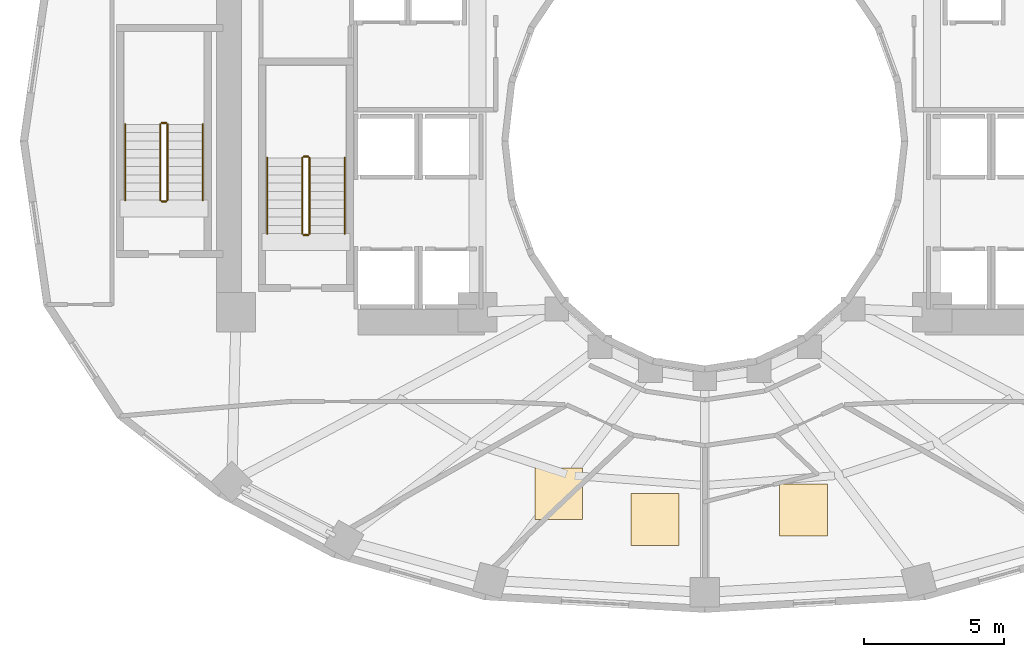
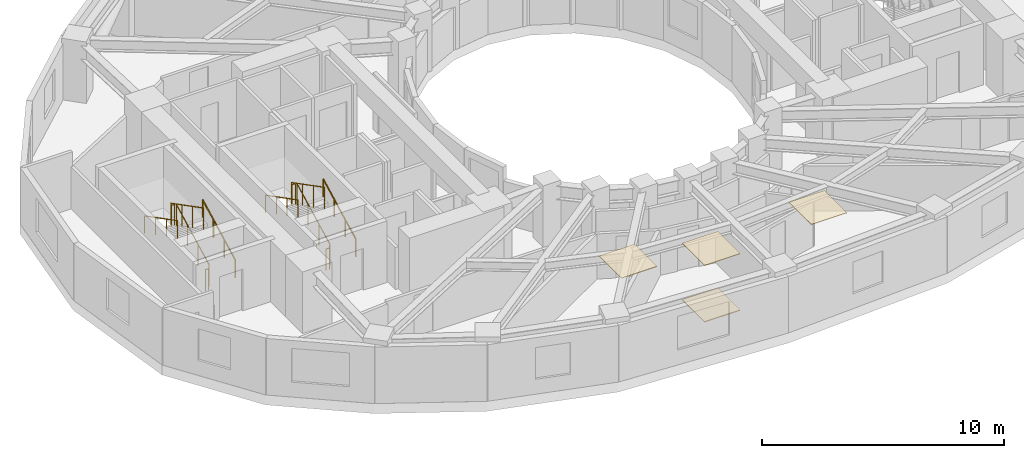
# One storey, part 8 of 9: 12 railings, 4 coverings.
"""IFC4 building model written with IfcOpenShell, lengths in metres."""

import ifcopenshell
import ifcopenshell.guid

model = None  # the IFC model being written
_history = None  # IfcOwnerHistory: only IFC2X3 demands one
_inside = {}  # id of a spatial element -> (the spatial element, [elements in it])
_under = {}  # id of a project, library or spatial element -> (it, [spatial elements below it])
_declared = {}  # id of a project -> (the project, [libraries it declares])
_typed = {}  # id of a type object -> (the type object, [elements of that type])
_made_of = {}  # id of a material, layer set ... -> (it, [elements and type objects made of it])


def new_model(schema):
    """Start an empty IFC model of exactly this schema.

    Asked for "IFC4X3", IfcOpenShell would pick the latest addendum, in which some entities
    have other attributes; the version numbers below select the first issue.
    IFC2X3 requires an IfcOwnerHistory on every rooted entity: one is made here for all.
    """
    global model, _history
    if schema == "IFC4X3":
        model = ifcopenshell.file(schema_version=(4, 3, 0, 0))
    else:
        model = ifcopenshell.file(schema=schema)
    _inside.clear()
    _under.clear()
    _declared.clear()
    _typed.clear()
    _made_of.clear()
    _history = None
    if model.schema == "IFC2X3":
        org = make("IfcOrganization", Name="unknown")
        user = make(
            "IfcPersonAndOrganization",
            ThePerson=make("IfcPerson", FamilyName="unknown"),
            TheOrganization=org,
        )
        app = make(
            "IfcApplication",
            ApplicationDeveloper=org,
            Version="unknown",
            ApplicationFullName="unknown",
            ApplicationIdentifier="unknown",
        )
        _history = make(
            "IfcOwnerHistory",
            OwningUser=user,
            OwningApplication=app,
            ChangeAction="ADDED",
            CreationDate=0,
        )
    return model


def make(cls, **values):
    """One entity of the class cls with the attributes given. An attribute that is None is left unset."""
    return model.create_entity(
        cls, **{name: value for name, value in values.items() if value is not None}
    )


def rooted(cls, **values):
    """An entity with a GlobalId (a new one), such as an element, a storey or a relation."""
    return make(cls, GlobalId=ifcopenshell.guid.new(), OwnerHistory=_history, **values)


def si_unit(unit_type, name, prefix=None):
    """IfcSIUnit, for example si_unit("LENGTHUNIT", "METRE", prefix="MILLI")."""
    return make("IfcSIUnit", UnitType=unit_type, Prefix=prefix, Name=name)


def assignment(units):
    """IfcUnitAssignment: the units of a project."""
    return None if units is None else make("IfcUnitAssignment", Units=units)


def point(xyz):
    """IfcCartesianPoint."""
    return None if xyz is None else make("IfcCartesianPoint", Coordinates=xyz)


def direction(xyz):
    """IfcDirection."""
    return None if xyz is None else make("IfcDirection", DirectionRatios=xyz)


def frame(location, z_axis=None, x_axis=None):
    """IfcAxis2Placement3D, a coordinate frame: its origin and axes. An axis left out is left unset."""
    return make(
        "IfcAxis2Placement3D",
        Location=point(location),
        Axis=direction(z_axis),
        RefDirection=direction(x_axis),
    )


def frame_2d(location, x_axis=None):
    """IfcAxis2Placement2D, a coordinate frame in the plane: its origin and x axis."""
    return make(
        "IfcAxis2Placement2D", Location=point(location), RefDirection=direction(x_axis)
    )


def origin():
    """The frame at (0, 0, 0) with its axes left unset."""
    return frame((0.0, 0.0, 0.0))


def origin_2d():
    """The frame at (0, 0) in the plane with its x axis left unset."""
    return frame_2d((0.0, 0.0))


def place(relative_to, where):
    """IfcLocalPlacement: puts the frame where relative to a parent placement (None: the world)."""
    return make(
        "IfcLocalPlacement", PlacementRelTo=relative_to, RelativePlacement=where
    )


def context(
    kind, dimensions, precision=None, world=None, true_north=None, identifier=None
):
    """IfcGeometricRepresentationContext, for example the 3D "Model" context."""
    return make(
        "IfcGeometricRepresentationContext",
        ContextIdentifier=identifier,
        ContextType=kind,
        CoordinateSpaceDimension=dimensions,
        Precision=precision,
        WorldCoordinateSystem=world,
        TrueNorth=true_north,
    )


def subcontext(parent, identifier, kind, view, scale=None):
    """IfcGeometricRepresentationSubContext, for example "Body" below "Model"."""
    return make(
        "IfcGeometricRepresentationSubContext",
        ContextIdentifier=identifier,
        ContextType=kind,
        ParentContext=parent,
        TargetScale=scale,
        TargetView=view,
    )


def project(units=None, contexts=None):
    """IfcProject with its units and contexts."""
    return rooted(
        "IfcProject",
        Name="project",
        RepresentationContexts=contexts,
        UnitsInContext=assignment(units),
    )


def spatial(cls, under=None, at=None, **own):
    """A site, building, storey or space (cls), placed at a placement, below another one or the project."""
    s = rooted(cls, ObjectPlacement=at, **own)
    if under is not None:
        _under.setdefault(under.id(), (under, []))[1].append(s)
    return s


def polyline(points):
    """IfcPolyline through the points."""
    return make("IfcPolyline", Points=[point(p) for p in points])


def profile(cls, at=None, kind="AREA", **sizes):
    """A parametric profile (cls). Its sizes go by their IFC names, for example OverallWidth=200.0."""
    return make(cls, ProfileType=kind, Position=at, **sizes)


def circle(**sizes):
    """IfcCircleProfileDef."""
    return profile("IfcCircleProfileDef", **sizes)


def outline(outer, holes=None, kind="AREA"):
    """IfcArbitraryClosedProfileDef: a profile drawn as a closed curve; with holes, ...WithVoids."""
    if holes is None:
        return make("IfcArbitraryClosedProfileDef", ProfileType=kind, OuterCurve=outer)
    return make(
        "IfcArbitraryProfileDefWithVoids",
        ProfileType=kind,
        OuterCurve=outer,
        InnerCurves=holes,
    )


def extrude(swept, where, along, depth):
    """IfcExtrudedAreaSolid: the profile swept, set in the frame where, extruded along a direction by depth."""
    return make(
        "IfcExtrudedAreaSolid",
        SweptArea=swept,
        Position=where,
        ExtrudedDirection=direction(along),
        Depth=depth,
    )


def shape(context_of_items, identifier, shape_type, items):
    """IfcShapeRepresentation: the items that make up one representation, for example the "Body"."""
    return make(
        "IfcShapeRepresentation",
        ContextOfItems=context_of_items,
        RepresentationIdentifier=identifier,
        RepresentationType=shape_type,
        Items=items,
    )


def material(Name=None, Category=None):
    """IfcMaterial."""
    return make("IfcMaterial", Name=Name, Category=Category)


def layer(
    of_material, thickness, ventilated=None, Name=None, Category=None, Priority=None
):
    """IfcMaterialLayer: one layer of a wall or slab, of a material (None: an air gap)."""
    return make(
        "IfcMaterialLayer",
        Material=of_material,
        LayerThickness=thickness,
        IsVentilated=ventilated,
        Name=Name,
        Category=Category,
        Priority=Priority,
    )


def layer_set(layers, Name=None):
    """IfcMaterialLayerSet."""
    return make("IfcMaterialLayerSet", MaterialLayers=layers, LayerSetName=Name)


def made_of(thing, what):
    """Note that an element or type object is made of a material, layer set ...; save() writes the relation."""
    if what is not None:
        _made_of.setdefault(what.id(), (what, []))[1].append(thing)
    return thing


def type_object(cls, material=None, **own):
    """A type object (cls), such as IfcWallType, which elements share."""
    return made_of(rooted(cls, **own), material)


def element(
    cls,
    number,
    at=None,
    inside=None,
    cuts=None,
    type_object=None,
    material=None,
    context=None,
    identifier="Body",
    shape_type=None,
    held_by="IfcProductDefinitionShape",
    body=None,
    shapes=None,
    **own,
):
    """One element of the class cls, such as IfcWall. Its Tag is "e" and its number.

    at: its placement. inside: the storey or other place that contains it. cuts: it is an
    opening in that element (IfcRelVoidsElement). A single representation is given by context,
    identifier, shape_type and body (its items); several are given by shapes. held_by: the class
    of the entity that holds the representations. save() writes the other relations.
    """
    e = rooted(cls, Tag="e%d" % number, ObjectPlacement=at, **own)
    if body is not None:
        shapes = [shape(context, identifier, shape_type, body)]
    if shapes is not None:
        e.Representation = make(held_by, Representations=shapes)
    if inside is not None:
        _inside.setdefault(inside.id(), (inside, []))[1].append(e)
    if cuts is not None:
        rooted(
            "IfcRelVoidsElement", RelatingBuildingElement=cuts, RelatedOpeningElement=e
        )
    if type_object is not None:
        _typed.setdefault(type_object.id(), (type_object, []))[1].append(e)
    return made_of(e, material)


def aggregate(whole, parts):
    """IfcRelAggregates: a whole, such as a stair, and the parts it consists of."""
    return rooted("IfcRelAggregates", RelatingObject=whole, RelatedObjects=parts)


def save(model, path):
    """Write the relations noted so far, then the file.

    IfcRelAggregates (storeys below a building ...), IfcRelContainedInSpatialStructure (elements
    in a storey), IfcRelDefinesByType, IfcRelAssociatesMaterial and IfcRelDeclares: one each for
    every whole, place, type object, material and project.
    """
    for whole, parts in _under.values():
        aggregate(whole, parts)
    for where, things in _inside.values():
        rooted(
            "IfcRelContainedInSpatialStructure",
            RelatedElements=things,
            RelatingStructure=where,
        )
    for kind, things in _typed.values():
        rooted("IfcRelDefinesByType", RelatedObjects=things, RelatingType=kind)
    for what, things in _made_of.values():
        rooted("IfcRelAssociatesMaterial", RelatedObjects=things, RelatingMaterial=what)
    for by, libraries in _declared.values():
        rooted("IfcRelDeclares", RelatingContext=by, RelatedDefinitions=libraries)
    model.write(path)


model = new_model("IFC4")

# Units and contexts
model_context = context("Model", 3, precision=1e-05, world=origin(), true_north=direction((0.0, 1.0)))
body_context = subcontext(model_context, "Body", "Model", "MODEL_VIEW")
ifc_project = project(units=[si_unit("LENGTHUNIT", "METRE"), si_unit("AREAUNIT", "SQUARE_METRE"), si_unit("VOLUMEUNIT", "CUBIC_METRE"), si_unit("PLANEANGLEUNIT", "RADIAN"), si_unit("MASSUNIT", "GRAM", prefix="KILO")], contexts=[model_context])

# Site, building, storey
site_placement = place(None, origin())
site = spatial("IfcSite", under=ifc_project, at=site_placement, CompositionType="ELEMENT")
building_placement = place(site_placement, origin())
building = spatial("IfcBuilding", under=site, at=building_placement, Name="Solvane Sanctuary Tower", CompositionType="ELEMENT")
storey_placement = place(building_placement, frame((0.0, 0.0, 76.300048828125)))
storey = spatial("IfcBuildingStorey", under=building, at=storey_placement, Name="L22", CompositionType="ELEMENT", Elevation=76.300048828125)

# Coverings
ifc_material_1 = material(Name="Acoustic Gypsum Partition Board")
ifc_layer_1 = layer(ifc_material_1, 0.02490234375, Name="Acoustic Gypsum Partition Board")
ifc_layer_set_1 = layer_set([ifc_layer_1], Name="Acoustic Gypsum Partition Board")
covering_type_1 = type_object("IfcCoveringType", Name="Covering CLG-ACOUST", PredefinedType="CEILING", material=ifc_layer_set_1)
covering_1_placement = place(storey_placement, frame((0.0, 0.0, 2.849853515625)))
element("IfcCovering", 1, at=covering_1_placement, inside=storey, type_object=covering_type_1, Name="L22 Unit Acoustic Ceiling Panel 2", PredefinedType="CEILING", context=body_context, shape_type="SweptSolid", body=[
    extrude(outline(polyline([(25.946044921875, 9.510009765625), (27.64599609375, 9.510009765625), (27.64599609375, 11.360107421875), (25.946044921875, 11.360107421875), (25.946044921875, 9.510009765625)])), origin(), (0.0, 0.0, 1.0), 0.030029296875),
])
covering_2_placement = place(storey_placement, frame((0.0, 0.0, 2.849853515625)))
element("IfcCovering", 2, at=covering_2_placement, inside=storey, type_object=covering_type_1, Name="L22 Unit Acoustic Ceiling Panel 3", PredefinedType="CEILING", context=body_context, shape_type="SweptSolid", body=[
    extrude(outline(polyline([(29.375, 8.591064453125), (31.074951171875, 8.591064453125), (31.074951171875, 10.44091796875), (29.375, 10.44091796875), (29.375, 8.591064453125)])), origin(), (0.0, 0.0, 1.0), 0.030029296875),
])
covering_3_placement = place(storey_placement, frame((0.0, 0.0, 2.849853515625)))
element("IfcCovering", 3, at=covering_3_placement, inside=storey, type_object=covering_type_1, Name="L22 Unit Acoustic Ceiling Panel 4", PredefinedType="CEILING", context=body_context, shape_type="SweptSolid", body=[
    extrude(outline(polyline([(34.669921875, 8.93798828125), (36.3701171875, 8.93798828125), (36.3701171875, 10.7880859375), (34.669921875, 10.7880859375), (34.669921875, 8.93798828125)])), origin(), (0.0, 0.0, 1.0), 0.030029296875),
])
ifc_material_2 = material(Name="Ceramic Tile Finish")
ifc_layer_2 = layer(ifc_material_2, 0.030029296875, Name="Ceramic Tile Finish")
ifc_layer_set_2 = layer_set([ifc_layer_2], Name="Ceramic Tile Finish")
covering_type_2 = type_object("IfcCoveringType", Name="Covering FLR-TERRAZZO", PredefinedType="FLOORING", material=ifc_layer_set_2)
covering_4_placement = place(storey_placement, origin())
element("IfcCovering", 4, at=covering_4_placement, inside=storey, type_object=covering_type_2, Name="L22 Unit Terrazzo Inlay 3", PredefinedType="FLOORING", context=body_context, shape_type="SweptSolid", body=[
    extrude(outline(polyline([(29.375, 8.591064453125), (31.074951171875, 8.591064453125), (31.074951171875, 10.44091796875), (29.375, 10.44091796875), (29.375, 8.591064453125)])), origin(), (0.0, 0.0, 1.0), 0.034912109375),
])

# Railings
ifc_material_3 = material(Name="Architectural Stainless Steel 316", Category="steel")
railing_type_1 = type_object("IfcRailingType", Name="Railing GR-BALC-1150", PredefinedType="BALUSTRADE", material=ifc_material_3)
railing_1_placement = place(storey_placement, frame((17.919921875, 19.699951171875, 0.155029296875)))
element("IfcRailing", 5, at=railing_1_placement, inside=storey, type_object=railing_type_1, Name="L22 ST-1 stair guard 1", PredefinedType="BALUSTRADE", context=body_context, shape_type="SweptSolid", body=[
    extrude(circle(Radius=0.02392578125, at=origin_2d()), frame((0.0, 0.0, 1.076171875), z_axis=(0.0, 0.888419900624, 0.459031676658), x_axis=(-1.0, 0.0, 0.0)), (0.0, 0.0, 1.0), 3.0390625),
    extrude(circle(Radius=0.02099609375, at=origin_2d()), origin(), (0.0, 0.0, 1.0), 1.052001953125),
    extrude(circle(Radius=0.02099609375, at=origin_2d()), frame((0.0, 0.89990234375, 0.465087890625)), (0.0, 0.0, 1.0), 1.052001953125),
    extrude(circle(Radius=0.02099609375, at=origin_2d()), frame((0.0, 1.800048828125, 0.929931640625)), (0.0, 0.0, 1.0), 1.052001953125),
    extrude(circle(Radius=0.02099609375, at=origin_2d()), frame((0.0, 2.699951171875, 1.39501953125)), (0.0, 0.0, 1.0), 1.052001953125),
])
railing_2_placement = place(storey_placement, frame((17.8701171875, 22.449951171875, 1.550048828125)))
element("IfcRailing", 6, at=railing_2_placement, inside=storey, type_object=railing_type_1, Name="L22 ST-1 stair guard 2", PredefinedType="BALUSTRADE", context=body_context, shape_type="SweptSolid", body=[
    extrude(circle(Radius=0.02392578125, at=origin_2d()), frame((0.0, 0.0, 1.076171875), z_axis=(-1.0, 0.0, 0.0), x_axis=(0.0, -1.0, 0.0)), (0.0, 0.0, 1.0), 0.16015625),
    extrude(circle(Radius=0.02099609375, at=origin_2d()), origin(), (0.0, 0.0, 1.0), 1.052001953125),
    extrude(circle(Radius=0.02099609375, at=origin_2d()), frame((-0.16015625, 0.0, 0.0)), (0.0, 0.0, 1.0), 1.052001953125),
])
railing_3_placement = place(storey_placement, frame((17.659912109375, 22.39990234375, 1.704833984375)))
element("IfcRailing", 7, at=railing_3_placement, inside=storey, type_object=railing_type_1, Name="L22 ST-1 stair guard 3", PredefinedType="BALUSTRADE", context=body_context, shape_type="SweptSolid", body=[
    extrude(circle(Radius=0.02392578125, at=origin_2d()), frame((0.0, 0.0, 1.076171875), z_axis=(0.0, -0.888419900624, 0.459031676658), x_axis=(1.0, 0.0, 0.0)), (0.0, 0.0, 1.0), 3.0390625),
    extrude(circle(Radius=0.02099609375, at=origin_2d()), origin(), (0.0, 0.0, 1.0), 1.052001953125),
    extrude(circle(Radius=0.02099609375, at=origin_2d()), frame((0.0, -0.89990234375, 0.465087890625)), (0.0, 0.0, 1.0), 1.052001953125),
    extrude(circle(Radius=0.02099609375, at=origin_2d()), frame((0.0, -1.800048828125, 0.929931640625)), (0.0, 0.0, 1.0), 1.052001953125),
    extrude(circle(Radius=0.02099609375, at=origin_2d()), frame((0.0, -2.699951171875, 1.39501953125)), (0.0, 0.0, 1.0), 1.052001953125),
])
railing_4_placement = place(storey_placement, frame((17.8701171875, 19.64990234375, 0.0)))
element("IfcRailing", 8, at=railing_4_placement, inside=storey, type_object=railing_type_1, Name="L22 ST-1 stair guard 4", PredefinedType="BALUSTRADE", context=body_context, shape_type="SweptSolid", body=[
    extrude(circle(Radius=0.02392578125, at=origin_2d()), frame((0.0, 0.0, 1.076171875), z_axis=(-1.0, 0.0, 0.0), x_axis=(0.0, -1.0, 0.0)), (0.0, 0.0, 1.0), 0.16015625),
    extrude(circle(Radius=0.02099609375, at=origin_2d()), origin(), (0.0, 0.0, 1.0), 1.052001953125),
    extrude(circle(Radius=0.02099609375, at=origin_2d()), frame((-0.16015625, 0.0, 0.0)), (0.0, 0.0, 1.0), 1.052001953125),
])
railing_5_placement = place(storey_placement, frame((12.860107421875, 20.89990234375, 0.155029296875)))
element("IfcRailing", 9, at=railing_5_placement, inside=storey, type_object=railing_type_1, Name="L22 ST-3 stair guard 1", PredefinedType="BALUSTRADE", context=body_context, shape_type="SweptSolid", body=[
    extrude(circle(Radius=0.02392578125, at=origin_2d()), frame((0.0, 0.0, 1.076171875), z_axis=(0.0, 0.888436826113, 0.458998917216), x_axis=(-1.0, 0.0, 0.0)), (0.0, 0.0, 1.0), 3.039306640625),
    extrude(circle(Radius=0.02099609375, at=origin_2d()), origin(), (0.0, 0.0, 1.0), 1.052001953125),
    extrude(circle(Radius=0.02099609375, at=origin_2d()), frame((0.0, 0.900146484375, 0.465087890625)), (0.0, 0.0, 1.0), 1.052001953125),
    extrude(circle(Radius=0.02099609375, at=origin_2d()), frame((0.0, 1.800048828125, 0.929931640625)), (0.0, 0.0, 1.0), 1.052001953125),
    extrude(circle(Radius=0.02099609375, at=origin_2d()), frame((0.0, 2.7001953125, 1.39501953125)), (0.0, 0.0, 1.0), 1.052001953125),
])
railing_6_placement = place(storey_placement, frame((12.81005859375, 23.64990234375, 1.550048828125)))
element("IfcRailing", 10, at=railing_6_placement, inside=storey, type_object=railing_type_1, Name="L22 ST-3 stair guard 2", PredefinedType="BALUSTRADE", context=body_context, shape_type="SweptSolid", body=[
    extrude(circle(Radius=0.02392578125, at=origin_2d()), frame((0.0, 0.0, 1.076171875), z_axis=(-1.0, 0.0, 0.0), x_axis=(0.0, -1.0, 0.0)), (0.0, 0.0, 1.0), 0.16015625),
    extrude(circle(Radius=0.02099609375, at=origin_2d()), origin(), (0.0, 0.0, 1.0), 1.052001953125),
    extrude(circle(Radius=0.02099609375, at=origin_2d()), frame((-0.16015625, 0.0, 0.0)), (0.0, 0.0, 1.0), 1.052001953125),
])
railing_7_placement = place(storey_placement, frame((12.60009765625, 23.60009765625, 1.704833984375)))
element("IfcRailing", 11, at=railing_7_placement, inside=storey, type_object=railing_type_1, Name="L22 ST-3 stair guard 3", PredefinedType="BALUSTRADE", context=body_context, shape_type="SweptSolid", body=[
    extrude(circle(Radius=0.02392578125, at=origin_2d()), frame((0.0, 0.0, 1.076171875), z_axis=(0.0, -0.888436826113, 0.458998917216), x_axis=(1.0, 0.0, 0.0)), (0.0, 0.0, 1.0), 3.039306640625),
    extrude(circle(Radius=0.02099609375, at=origin_2d()), origin(), (0.0, 0.0, 1.0), 1.052001953125),
    extrude(circle(Radius=0.02099609375, at=origin_2d()), frame((0.0, -0.900146484375, 0.465087890625)), (0.0, 0.0, 1.0), 1.052001953125),
    extrude(circle(Radius=0.02099609375, at=origin_2d()), frame((0.0, -1.800048828125, 0.929931640625)), (0.0, 0.0, 1.0), 1.052001953125),
    extrude(circle(Radius=0.02099609375, at=origin_2d()), frame((0.0, -2.7001953125, 1.39501953125)), (0.0, 0.0, 1.0), 1.052001953125),
])
railing_8_placement = place(storey_placement, frame((12.81005859375, 20.85009765625, 0.0)))
element("IfcRailing", 12, at=railing_8_placement, inside=storey, type_object=railing_type_1, Name="L22 ST-3 stair guard 4", PredefinedType="BALUSTRADE", context=body_context, shape_type="SweptSolid", body=[
    extrude(circle(Radius=0.02392578125, at=origin_2d()), frame((0.0, 0.0, 1.076171875), z_axis=(-1.0, 0.0, 0.0), x_axis=(0.0, -1.0, 0.0)), (0.0, 0.0, 1.0), 0.16015625),
    extrude(circle(Radius=0.02099609375, at=origin_2d()), origin(), (0.0, 0.0, 1.0), 1.052001953125),
    extrude(circle(Radius=0.02099609375, at=origin_2d()), frame((-0.16015625, 0.0, 0.0)), (0.0, 0.0, 1.0), 1.052001953125),
])
railing_type_2 = type_object("IfcRailingType", Name="Railing HR-STAIR-920", PredefinedType="HANDRAIL", material=ifc_material_3)
railing_9_placement = place(storey_placement, frame((19.169921875, 19.699951171875, 0.155029296875)))
element("IfcRailing", 13, at=railing_9_placement, inside=storey, type_object=railing_type_2, Name="L22 ST-1 stair handrail 1", PredefinedType="HANDRAIL", context=body_context, shape_type="SweptSolid", body=[
    extrude(circle(Radius=0.02392578125, at=origin_2d()), frame((0.0, 0.0, 0.8759765625), z_axis=(0.0, 0.888419900624, 0.459031676658), x_axis=(-1.0, 0.0, 0.0)), (0.0, 0.0, 1.0), 3.0390625),
    extrude(circle(Radius=0.02099609375, at=origin_2d()), origin(), (0.0, 0.0, 1.0), 0.851806640625),
    extrude(circle(Radius=0.02099609375, at=origin_2d()), frame((0.0, 0.89990234375, 0.465087890625)), (0.0, 0.0, 1.0), 0.851806640625),
    extrude(circle(Radius=0.02099609375, at=origin_2d()), frame((0.0, 1.800048828125, 0.929931640625)), (0.0, 0.0, 1.0), 0.851806640625),
    extrude(circle(Radius=0.02099609375, at=origin_2d()), frame((0.0, 2.699951171875, 1.39501953125)), (0.0, 0.0, 1.0), 0.851806640625),
])
railing_10_placement = place(storey_placement, frame((16.409912109375, 22.39990234375, 1.704833984375)))
element("IfcRailing", 14, at=railing_10_placement, inside=storey, type_object=railing_type_2, Name="L22 ST-1 stair handrail 2", PredefinedType="HANDRAIL", context=body_context, shape_type="SweptSolid", body=[
    extrude(circle(Radius=0.02392578125, at=origin_2d()), frame((0.0, 0.0, 0.8759765625), z_axis=(0.0, -0.888419900624, 0.459031676658), x_axis=(1.0, 0.0, 0.0)), (0.0, 0.0, 1.0), 3.0390625),
    extrude(circle(Radius=0.02099609375, at=origin_2d()), origin(), (0.0, 0.0, 1.0), 0.851806640625),
    extrude(circle(Radius=0.02099609375, at=origin_2d()), frame((0.0, -0.89990234375, 0.465087890625)), (0.0, 0.0, 1.0), 0.851806640625),
    extrude(circle(Radius=0.02099609375, at=origin_2d()), frame((0.0, -1.800048828125, 0.929931640625)), (0.0, 0.0, 1.0), 0.851806640625),
    extrude(circle(Radius=0.02099609375, at=origin_2d()), frame((0.0, -2.699951171875, 1.39501953125)), (0.0, 0.0, 1.0), 0.851806640625),
])
railing_11_placement = place(storey_placement, frame((14.110107421875, 20.89990234375, 0.155029296875)))
element("IfcRailing", 15, at=railing_11_placement, inside=storey, type_object=railing_type_2, Name="L22 ST-3 stair handrail 1", PredefinedType="HANDRAIL", context=body_context, shape_type="SweptSolid", body=[
    extrude(circle(Radius=0.02392578125, at=origin_2d()), frame((0.0, 0.0, 0.8759765625), z_axis=(0.0, 0.888436826113, 0.458998917216), x_axis=(-1.0, 0.0, 0.0)), (0.0, 0.0, 1.0), 3.039306640625),
    extrude(circle(Radius=0.02099609375, at=origin_2d()), origin(), (0.0, 0.0, 1.0), 0.851806640625),
    extrude(circle(Radius=0.02099609375, at=origin_2d()), frame((0.0, 0.900146484375, 0.465087890625)), (0.0, 0.0, 1.0), 0.851806640625),
    extrude(circle(Radius=0.02099609375, at=origin_2d()), frame((0.0, 1.800048828125, 0.929931640625)), (0.0, 0.0, 1.0), 0.851806640625),
    extrude(circle(Radius=0.02099609375, at=origin_2d()), frame((0.0, 2.7001953125, 1.39501953125)), (0.0, 0.0, 1.0), 0.851806640625),
])
railing_12_placement = place(storey_placement, frame((11.35009765625, 23.60009765625, 1.704833984375)))
element("IfcRailing", 16, at=railing_12_placement, inside=storey, type_object=railing_type_2, Name="L22 ST-3 stair handrail 2", PredefinedType="HANDRAIL", context=body_context, shape_type="SweptSolid", body=[
    extrude(circle(Radius=0.02392578125, at=origin_2d()), frame((0.0, 0.0, 0.8759765625), z_axis=(0.0, -0.888436826113, 0.458998917216), x_axis=(1.0, 0.0, 0.0)), (0.0, 0.0, 1.0), 3.039306640625),
    extrude(circle(Radius=0.02099609375, at=origin_2d()), origin(), (0.0, 0.0, 1.0), 0.851806640625),
    extrude(circle(Radius=0.02099609375, at=origin_2d()), frame((0.0, -0.900146484375, 0.465087890625)), (0.0, 0.0, 1.0), 0.851806640625),
    extrude(circle(Radius=0.02099609375, at=origin_2d()), frame((0.0, -1.800048828125, 0.929931640625)), (0.0, 0.0, 1.0), 0.851806640625),
    extrude(circle(Radius=0.02099609375, at=origin_2d()), frame((0.0, -2.7001953125, 1.39501953125)), (0.0, 0.0, 1.0), 0.851806640625),
])

save(model, "model.ifc")
